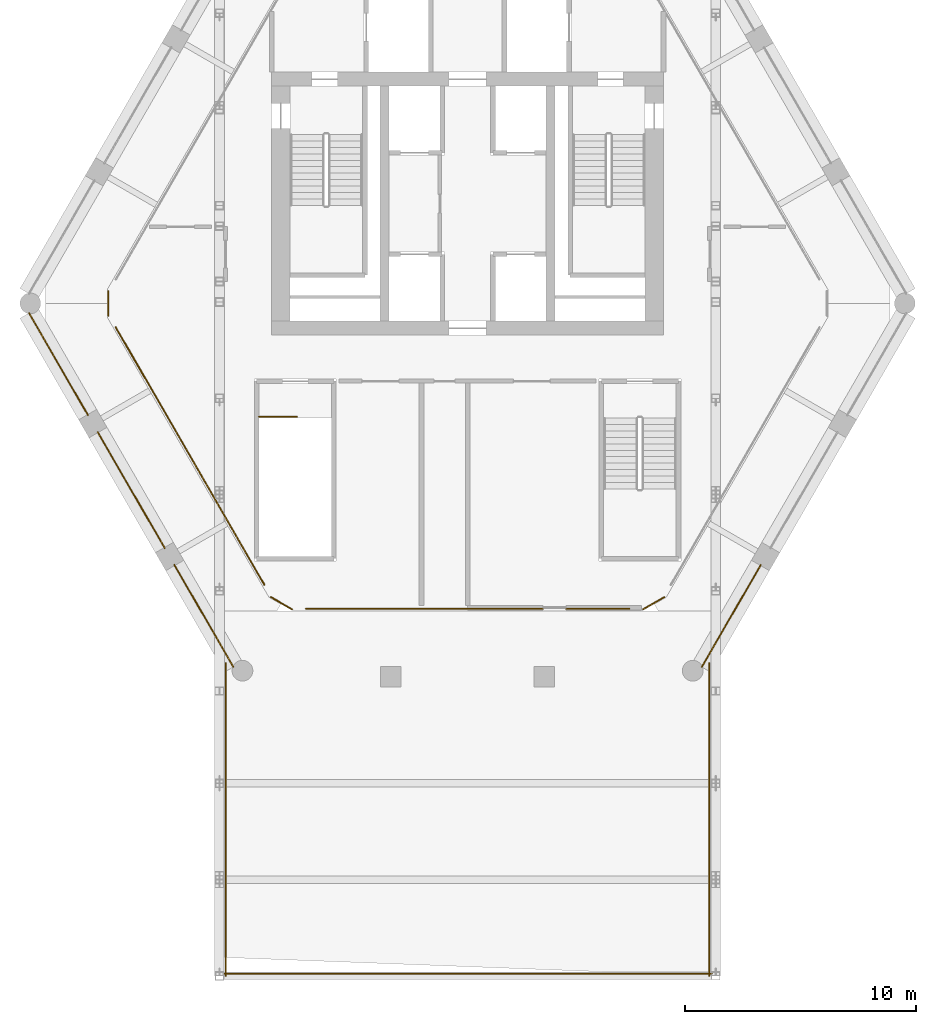
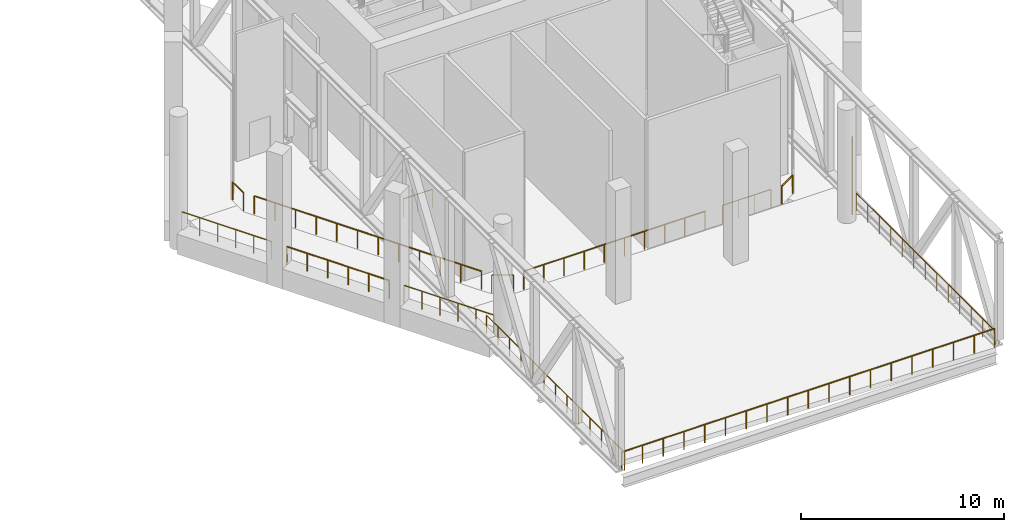
# One storey, part 11 of 14: 14 railings.
"""IFC4 building model written with IfcOpenShell, lengths in metres."""

from ifc_helpers import new_model, si_unit, direction, frame, origin, origin_2d, place, context, subcontext, project, spatial, circle, extrude, material, type_object, element, save


model = new_model("IFC4")

# Units and contexts
model_context = context("Model", 3, precision=1e-05, world=origin(), true_north=direction((0.0, 1.0)))
body_context = subcontext(model_context, "Body", "Model", "MODEL_VIEW")
ifc_project = project(units=[si_unit("LENGTHUNIT", "METRE"), si_unit("AREAUNIT", "SQUARE_METRE"), si_unit("VOLUMEUNIT", "CUBIC_METRE"), si_unit("PLANEANGLEUNIT", "RADIAN"), si_unit("MASSUNIT", "GRAM", prefix="KILO")], contexts=[model_context])

# Site, building, storey
site_placement = place(None, origin())
site = spatial("IfcSite", under=ifc_project, at=site_placement, CompositionType="ELEMENT")
building_placement = place(site_placement, origin())
building = spatial("IfcBuilding", under=site, at=building_placement, Name="Ostrander Bayou Hotel Tower", CompositionType="ELEMENT")
storey_placement = place(building_placement, frame((0.0, 0.0, 237.0)))
storey = spatial("IfcBuildingStorey", under=building, at=storey_placement, Name="L59", CompositionType="ELEMENT", Elevation=237.0)

# Railings
ifc_material_1 = material(Name="Stainless steel and clear glass", Category="steel")
railing_type_1 = type_object("IfcRailingType", Name="GR1 guard 1100 mm", PredefinedType="GUARDRAIL", material=ifc_material_1)
railing_1_placement = place(storey_placement, frame((-19.024169921875, -0.749267578125, 0.0)))
element("IfcRailing", 1, at=railing_1_placement, inside=storey, type_object=railing_type_1, Name="GR1 L59 SW-1 open band guard", PredefinedType="GUARDRAIL", context=body_context, shape_type="SweptSolid", body=[
    extrude(circle(Radius=0.02490234375, at=origin_2d()), frame((0.0, 0.0, 1.0751953125), z_axis=(0.499995206172, -0.866028171485, 0.0), x_axis=(0.866028171485, 0.499995206172, 0.0)), (0.0, 0.0, 1.0), 5.11376953125),
    extrude(circle(Radius=0.02001953125, at=origin_2d()), origin(), (0.0, 0.0, 1.0), 1.050048828125),
    extrude(circle(Radius=0.02001953125, at=origin_2d()), frame((0.511474609375, -0.8857421875, 0.0)), (0.0, 0.0, 1.0), 1.050048828125),
    extrude(circle(Radius=0.02001953125, at=origin_2d()), frame((1.022705078125, -1.771484375, 0.0)), (0.0, 0.0, 1.0), 1.050048828125),
    extrude(circle(Radius=0.02001953125, at=origin_2d()), frame((1.5341796875, -2.6572265625, 0.0)), (0.0, 0.0, 1.0), 1.050048828125),
    extrude(circle(Radius=0.02001953125, at=origin_2d()), frame((2.04541015625, -3.54296875, 0.0)), (0.0, 0.0, 1.0), 1.050048828125),
    extrude(circle(Radius=0.02001953125, at=origin_2d()), frame((2.556884765625, -4.4287109375, 0.0)), (0.0, 0.0, 1.0), 1.050048828125),
])
railing_2_placement = place(storey_placement, frame((-16.047119140625, -5.905517578125, 0.0)))
element("IfcRailing", 2, at=railing_2_placement, inside=storey, type_object=railing_type_1, Name="GR1 L59 SW-2 open band guard", PredefinedType="GUARDRAIL", context=body_context, shape_type="SweptSolid", body=[
    extrude(circle(Radius=0.02490234375, at=origin_2d()), frame((0.0, 0.0, 1.0751953125), z_axis=(0.500015433515, -0.866016493057, 0.0), x_axis=(0.866016493057, 0.500015433515, 0.0)), (0.0, 0.0, 1.0), 5.818603515625),
    extrude(circle(Radius=0.02001953125, at=origin_2d()), origin(), (0.0, 0.0, 1.0), 1.050048828125),
    extrude(circle(Radius=0.02001953125, at=origin_2d()), frame((0.581787109375, -1.0078125, 0.0)), (0.0, 0.0, 1.0), 1.050048828125),
    extrude(circle(Radius=0.02001953125, at=origin_2d()), frame((1.163818359375, -2.015625, 0.0)), (0.0, 0.0, 1.0), 1.050048828125),
    extrude(circle(Radius=0.02001953125, at=origin_2d()), frame((1.74560546875, -3.0234375, 0.0)), (0.0, 0.0, 1.0), 1.050048828125),
    extrude(circle(Radius=0.02001953125, at=origin_2d()), frame((2.32763671875, -4.03125, 0.0)), (0.0, 0.0, 1.0), 1.050048828125),
    extrude(circle(Radius=0.02001953125, at=origin_2d()), frame((2.909423828125, -5.0390625, 0.0)), (0.0, 0.0, 1.0), 1.050048828125),
])
railing_3_placement = place(storey_placement, frame((-12.7177734375, -11.672119140625, 0.0)))
element("IfcRailing", 3, at=railing_3_placement, inside=storey, type_object=railing_type_1, Name="GR1 L59 SW-3 open band guard", PredefinedType="GUARDRAIL", context=body_context, shape_type="SweptSolid", body=[
    extrude(circle(Radius=0.02490234375, at=origin_2d()), frame((0.0, 0.0, 1.0751953125), z_axis=(0.500015879365, -0.866016235635, 0.0), x_axis=(0.866016235635, 0.500015879365, 0.0)), (0.0, 0.0, 1.0), 5.113525390625),
    extrude(circle(Radius=0.02001953125, at=origin_2d()), origin(), (0.0, 0.0, 1.0), 1.050048828125),
    extrude(circle(Radius=0.02001953125, at=origin_2d()), frame((0.511474609375, -0.8857421875, 0.0)), (0.0, 0.0, 1.0), 1.050048828125),
    extrude(circle(Radius=0.02001953125, at=origin_2d()), frame((1.022705078125, -1.771484375, 0.0)), (0.0, 0.0, 1.0), 1.050048828125),
    extrude(circle(Radius=0.02001953125, at=origin_2d()), frame((1.5341796875, -2.656982421875, 0.0)), (0.0, 0.0, 1.0), 1.050048828125),
    extrude(circle(Radius=0.02001953125, at=origin_2d()), frame((2.04541015625, -3.542724609375, 0.0)), (0.0, 0.0, 1.0), 1.050048828125),
    extrude(circle(Radius=0.02001953125, at=origin_2d()), frame((2.556884765625, -4.428466796875, 0.0)), (0.0, 0.0, 1.0), 1.050048828125),
])
railing_4_placement = place(storey_placement, frame((10.160888671875, -16.1005859375, 0.0)))
element("IfcRailing", 4, at=railing_4_placement, inside=storey, type_object=railing_type_1, Name="GR1 L59 SE-1 open band guard", PredefinedType="GUARDRAIL", context=body_context, shape_type="SweptSolid", body=[
    extrude(circle(Radius=0.02490234375, at=origin_2d()), frame((0.0, 0.0, 1.0751953125), z_axis=(0.500015879365, 0.866016235635, 0.0), x_axis=(-0.866016235635, 0.500015879365, 0.0)), (0.0, 0.0, 1.0), 5.113525390625),
    extrude(circle(Radius=0.02001953125, at=origin_2d()), origin(), (0.0, 0.0, 1.0), 1.050048828125),
    extrude(circle(Radius=0.02001953125, at=origin_2d()), frame((0.511474609375, 0.8857421875, 0.0)), (0.0, 0.0, 1.0), 1.050048828125),
    extrude(circle(Radius=0.02001953125, at=origin_2d()), frame((1.022705078125, 1.771484375, 0.0)), (0.0, 0.0, 1.0), 1.050048828125),
    extrude(circle(Radius=0.02001953125, at=origin_2d()), frame((1.5341796875, 2.656982421875, 0.0)), (0.0, 0.0, 1.0), 1.050048828125),
    extrude(circle(Radius=0.02001953125, at=origin_2d()), frame((2.04541015625, 3.542724609375, 0.0)), (0.0, 0.0, 1.0), 1.050048828125),
    extrude(circle(Radius=0.02001953125, at=origin_2d()), frame((2.556884765625, 4.428466796875, 0.0)), (0.0, 0.0, 1.0), 1.050048828125),
])
railing_5_placement = place(storey_placement, frame((-15.582763671875, 0.205078125, 0.0)))
element("IfcRailing", 5, at=railing_5_placement, inside=storey, type_object=railing_type_1, Name="GR1 L59 corner guard 2", PredefinedType="GUARDRAIL", context=body_context, shape_type="SweptSolid", body=[
    extrude(circle(Radius=0.02490234375, at=origin_2d()), frame((0.0, 0.0, 1.0751953125), z_axis=(0.0, -1.0, 0.0), x_axis=(1.0, 0.0, 0.0)), (0.0, 0.0, 1.0), 1.06494140625),
    extrude(circle(Radius=0.02001953125, at=origin_2d()), origin(), (0.0, 0.0, 1.0), 1.050048828125),
    extrude(circle(Radius=0.02001953125, at=origin_2d()), frame((0.0, -1.06494140625, 0.0)), (0.0, 0.0, 1.0), 1.050048828125),
])
railing_6_placement = place(storey_placement, frame((-8.535888671875, -13.065185546875, 0.0)))
element("IfcRailing", 6, at=railing_6_placement, inside=storey, type_object=railing_type_1, Name="GR1 L59 corner guard 3", PredefinedType="GUARDRAIL", context=body_context, shape_type="SweptSolid", body=[
    extrude(circle(Radius=0.02490234375, at=origin_2d()), frame((0.0, 0.0, 1.0751953125), z_axis=(0.865990848561, -0.500059846627, 0.0), x_axis=(0.500059846627, 0.865990848561, 0.0)), (0.0, 0.0, 1.0), 1.064697265625),
    extrude(circle(Radius=0.02001953125, at=origin_2d()), origin(), (0.0, 0.0, 1.0), 1.050048828125),
    extrude(circle(Radius=0.02001953125, at=origin_2d()), frame((0.922119140625, -0.532470703125, 0.0)), (0.0, 0.0, 1.0), 1.050048828125),
])
railing_7_placement = place(storey_placement, frame((7.61376953125, -13.59765625, 0.0)))
element("IfcRailing", 7, at=railing_7_placement, inside=storey, type_object=railing_type_1, Name="GR1 L59 corner guard 4", PredefinedType="GUARDRAIL", context=body_context, shape_type="SweptSolid", body=[
    extrude(circle(Radius=0.02490234375, at=origin_2d()), frame((0.0, 0.0, 1.0751953125), z_axis=(0.865990848561, 0.500059846627, 0.0), x_axis=(-0.500059846627, 0.865990848561, 0.0)), (0.0, 0.0, 1.0), 1.064697265625),
    extrude(circle(Radius=0.02001953125, at=origin_2d()), origin(), (0.0, 0.0, 1.0), 1.050048828125),
    extrude(circle(Radius=0.02001953125, at=origin_2d()), frame((0.922119140625, 0.532470703125, 0.0)), (0.0, 0.0, 1.0), 1.050048828125),
])
railing_8_placement = place(storey_placement, frame((-8.813720703125, -12.533935546875, 0.0)))
element("IfcRailing", 8, at=railing_8_placement, inside=storey, type_object=railing_type_1, Name="GR1 L59 edge guard 5", PredefinedType="GUARDRAIL", context=body_context, shape_type="SweptSolid", body=[
    extrude(circle(Radius=0.02490234375, at=origin_2d()), frame((0.0, 0.0, 1.0751953125), z_axis=(-0.500009787079, 0.866019753138, 0.0), x_axis=(-0.866019753138, -0.500009787079, 0.0)), (0.0, 0.0, 1.0), 12.895751953125),
    extrude(circle(Radius=0.02001953125, at=origin_2d()), origin(), (0.0, 0.0, 1.0), 1.050048828125),
    extrude(circle(Radius=0.02001953125, at=origin_2d()), frame((-0.586181640625, 1.015380859375, 0.0)), (0.0, 0.0, 1.0), 1.050048828125),
    extrude(circle(Radius=0.02001953125, at=origin_2d()), frame((-1.17236328125, 2.030517578125, 0.0)), (0.0, 0.0, 1.0), 1.050048828125),
    extrude(circle(Radius=0.02001953125, at=origin_2d()), frame((-1.758544921875, 3.0458984375, 0.0)), (0.0, 0.0, 1.0), 1.050048828125),
    extrude(circle(Radius=0.02001953125, at=origin_2d()), frame((-2.3447265625, 4.06103515625, 0.0)), (0.0, 0.0, 1.0), 1.050048828125),
    extrude(circle(Radius=0.02001953125, at=origin_2d()), frame((-2.930908203125, 5.076416015625, 0.0)), (0.0, 0.0, 1.0), 1.050048828125),
    extrude(circle(Radius=0.02001953125, at=origin_2d()), frame((-3.51708984375, 6.091552734375, 0.0)), (0.0, 0.0, 1.0), 1.050048828125),
    extrude(circle(Radius=0.02001953125, at=origin_2d()), frame((-4.103271484375, 7.10693359375, 0.0)), (0.0, 0.0, 1.0), 1.050048828125),
    extrude(circle(Radius=0.02001953125, at=origin_2d()), frame((-4.689453125, 8.1220703125, 0.0)), (0.0, 0.0, 1.0), 1.050048828125),
    extrude(circle(Radius=0.02001953125, at=origin_2d()), frame((-5.275634765625, 9.137451171875, 0.0)), (0.0, 0.0, 1.0), 1.050048828125),
    extrude(circle(Radius=0.02001953125, at=origin_2d()), frame((-5.86181640625, 10.152587890625, 0.0)), (0.0, 0.0, 1.0), 1.050048828125),
    extrude(circle(Radius=0.02001953125, at=origin_2d()), frame((-6.447998046875, 11.16796875, 0.0)), (0.0, 0.0, 1.0), 1.050048828125),
])
railing_9_placement = place(storey_placement, frame((10.4873046875, -29.5, 0.0)))
element("IfcRailing", 9, at=railing_9_placement, inside=storey, type_object=railing_type_1, Name="GR1 bar roof guard SB5 1", PredefinedType="GUARDRAIL", context=body_context, shape_type="SweptSolid", body=[
    extrude(circle(Radius=0.02490234375, at=origin_2d()), frame((0.0, 0.0, 1.0751953125), z_axis=(0.0, 1.0, 0.0), x_axis=(-1.0, 0.0, 0.0)), (0.0, 0.0, 1.0), 13.564208984375),
    extrude(circle(Radius=0.02001953125, at=origin_2d()), origin(), (0.0, 0.0, 1.0), 1.050048828125),
    extrude(circle(Radius=0.02001953125, at=origin_2d()), frame((0.0, 1.13037109375, 0.0)), (0.0, 0.0, 1.0), 1.050048828125),
    extrude(circle(Radius=0.02001953125, at=origin_2d()), frame((0.0, 2.2607421875, 0.0)), (0.0, 0.0, 1.0), 1.050048828125),
    extrude(circle(Radius=0.02001953125, at=origin_2d()), frame((0.0, 3.39111328125, 0.0)), (0.0, 0.0, 1.0), 1.050048828125),
    extrude(circle(Radius=0.02001953125, at=origin_2d()), frame((0.0, 4.521484375, 0.0)), (0.0, 0.0, 1.0), 1.050048828125),
    extrude(circle(Radius=0.02001953125, at=origin_2d()), frame((0.0, 5.65185546875, 0.0)), (0.0, 0.0, 1.0), 1.050048828125),
    extrude(circle(Radius=0.02001953125, at=origin_2d()), frame((0.0, 6.7822265625, 0.0)), (0.0, 0.0, 1.0), 1.050048828125),
    extrude(circle(Radius=0.02001953125, at=origin_2d()), frame((0.0, 7.912353515625, 0.0)), (0.0, 0.0, 1.0), 1.050048828125),
    extrude(circle(Radius=0.02001953125, at=origin_2d()), frame((0.0, 9.042724609375, 0.0)), (0.0, 0.0, 1.0), 1.050048828125),
    extrude(circle(Radius=0.02001953125, at=origin_2d()), frame((0.0, 10.173095703125, 0.0)), (0.0, 0.0, 1.0), 1.050048828125),
    extrude(circle(Radius=0.02001953125, at=origin_2d()), frame((0.0, 11.303466796875, 0.0)), (0.0, 0.0, 1.0), 1.050048828125),
    extrude(circle(Radius=0.02001953125, at=origin_2d()), frame((0.0, 12.433837890625, 0.0)), (0.0, 0.0, 1.0), 1.050048828125),
    extrude(circle(Radius=0.02001953125, at=origin_2d()), frame((0.0, 13.564208984375, 0.0)), (0.0, 0.0, 1.0), 1.050048828125),
])
railing_10_placement = place(storey_placement, frame((-10.4873046875, -15.935791015625, 0.0)))
element("IfcRailing", 10, at=railing_10_placement, inside=storey, type_object=railing_type_1, Name="GR1 bar roof guard SB5 2", PredefinedType="GUARDRAIL", context=body_context, shape_type="SweptSolid", body=[
    extrude(circle(Radius=0.02490234375, at=origin_2d()), frame((0.0, 0.0, 1.0751953125), z_axis=(0.0, -1.0, 0.0), x_axis=(1.0, 0.0, 0.0)), (0.0, 0.0, 1.0), 13.564208984375),
    extrude(circle(Radius=0.02001953125, at=origin_2d()), origin(), (0.0, 0.0, 1.0), 1.050048828125),
    extrude(circle(Radius=0.02001953125, at=origin_2d()), frame((0.0, -1.13037109375, 0.0)), (0.0, 0.0, 1.0), 1.050048828125),
    extrude(circle(Radius=0.02001953125, at=origin_2d()), frame((0.0, -2.2607421875, 0.0)), (0.0, 0.0, 1.0), 1.050048828125),
    extrude(circle(Radius=0.02001953125, at=origin_2d()), frame((0.0, -3.39111328125, 0.0)), (0.0, 0.0, 1.0), 1.050048828125),
    extrude(circle(Radius=0.02001953125, at=origin_2d()), frame((0.0, -4.521484375, 0.0)), (0.0, 0.0, 1.0), 1.050048828125),
    extrude(circle(Radius=0.02001953125, at=origin_2d()), frame((0.0, -5.65185546875, 0.0)), (0.0, 0.0, 1.0), 1.050048828125),
    extrude(circle(Radius=0.02001953125, at=origin_2d()), frame((0.0, -6.7822265625, 0.0)), (0.0, 0.0, 1.0), 1.050048828125),
    extrude(circle(Radius=0.02001953125, at=origin_2d()), frame((0.0, -7.912353515625, 0.0)), (0.0, 0.0, 1.0), 1.050048828125),
    extrude(circle(Radius=0.02001953125, at=origin_2d()), frame((0.0, -9.042724609375, 0.0)), (0.0, 0.0, 1.0), 1.050048828125),
    extrude(circle(Radius=0.02001953125, at=origin_2d()), frame((0.0, -10.173095703125, 0.0)), (0.0, 0.0, 1.0), 1.050048828125),
    extrude(circle(Radius=0.02001953125, at=origin_2d()), frame((0.0, -11.303466796875, 0.0)), (0.0, 0.0, 1.0), 1.050048828125),
    extrude(circle(Radius=0.02001953125, at=origin_2d()), frame((0.0, -12.433837890625, 0.0)), (0.0, 0.0, 1.0), 1.050048828125),
    extrude(circle(Radius=0.02001953125, at=origin_2d()), frame((0.0, -13.564208984375, 0.0)), (0.0, 0.0, 1.0), 1.050048828125),
])
railing_11_placement = place(storey_placement, frame((-10.587158203125, -29.39990234375, 0.0)))
element("IfcRailing", 11, at=railing_11_placement, inside=storey, type_object=railing_type_1, Name="GR1 bar roof guard SB5 3", PredefinedType="GUARDRAIL", context=body_context, shape_type="SweptSolid", body=[
    extrude(circle(Radius=0.02490234375, at=origin_2d()), frame((0.0, 0.0, 1.0751953125), z_axis=(1.0, 0.0, 0.0), x_axis=(0.0, 1.0, 0.0)), (0.0, 0.0, 1.0), 21.17431640625),
    extrude(circle(Radius=0.02001953125, at=origin_2d()), origin(), (0.0, 0.0, 1.0), 1.050048828125),
    extrude(circle(Radius=0.02001953125, at=origin_2d()), frame((1.17626953125, 0.0, 0.0)), (0.0, 0.0, 1.0), 1.050048828125),
    extrude(circle(Radius=0.02001953125, at=origin_2d()), frame((2.352783203125, 0.0, 0.0)), (0.0, 0.0, 1.0), 1.050048828125),
    extrude(circle(Radius=0.02001953125, at=origin_2d()), frame((3.529052734375, 0.0, 0.0)), (0.0, 0.0, 1.0), 1.050048828125),
    extrude(circle(Radius=0.02001953125, at=origin_2d()), frame((4.705322265625, 0.0, 0.0)), (0.0, 0.0, 1.0), 1.050048828125),
    extrude(circle(Radius=0.02001953125, at=origin_2d()), frame((5.8818359375, 0.0, 0.0)), (0.0, 0.0, 1.0), 1.050048828125),
    extrude(circle(Radius=0.02001953125, at=origin_2d()), frame((7.05810546875, 0.0, 0.0)), (0.0, 0.0, 1.0), 1.050048828125),
    extrude(circle(Radius=0.02001953125, at=origin_2d()), frame((8.234375, 0.0, 0.0)), (0.0, 0.0, 1.0), 1.050048828125),
    extrude(circle(Radius=0.02001953125, at=origin_2d()), frame((9.410888671875, 0.0, 0.0)), (0.0, 0.0, 1.0), 1.050048828125),
    extrude(circle(Radius=0.02001953125, at=origin_2d()), frame((10.587158203125, 0.0, 0.0)), (0.0, 0.0, 1.0), 1.050048828125),
    extrude(circle(Radius=0.02001953125, at=origin_2d()), frame((11.763427734375, 0.0, 0.0)), (0.0, 0.0, 1.0), 1.050048828125),
    extrude(circle(Radius=0.02001953125, at=origin_2d()), frame((12.93994140625, 0.0, 0.0)), (0.0, 0.0, 1.0), 1.050048828125),
    extrude(circle(Radius=0.02001953125, at=origin_2d()), frame((14.1162109375, 0.0, 0.0)), (0.0, 0.0, 1.0), 1.050048828125),
    extrude(circle(Radius=0.02001953125, at=origin_2d()), frame((15.29248046875, 0.0, 0.0)), (0.0, 0.0, 1.0), 1.050048828125),
    extrude(circle(Radius=0.02001953125, at=origin_2d()), frame((16.468994140625, 0.0, 0.0)), (0.0, 0.0, 1.0), 1.050048828125),
    extrude(circle(Radius=0.02001953125, at=origin_2d()), frame((17.645263671875, 0.0, 0.0)), (0.0, 0.0, 1.0), 1.050048828125),
    extrude(circle(Radius=0.02001953125, at=origin_2d()), frame((18.821533203125, 0.0, 0.0)), (0.0, 0.0, 1.0), 1.050048828125),
    extrude(circle(Radius=0.02001953125, at=origin_2d()), frame((19.998046875, 0.0, 0.0)), (0.0, 0.0, 1.0), 1.050048828125),
    extrude(circle(Radius=0.02001953125, at=origin_2d()), frame((21.17431640625, 0.0, 0.0)), (0.0, 0.0, 1.0), 1.050048828125),
])
railing_12_placement = place(storey_placement, frame((7.014892578125, -13.57275390625, 0.0)))
element("IfcRailing", 12, at=railing_12_placement, inside=storey, type_object=railing_type_1, Name="GR1 L59 edge guard 4", PredefinedType="GUARDRAIL", context=body_context, shape_type="SweptSolid", body=[
    extrude(circle(Radius=0.02490234375, at=origin_2d()), frame((0.0, 0.0, 1.0751953125), z_axis=(-1.0, 0.0, 0.0), x_axis=(0.0, -1.0, 0.0)), (0.0, 0.0, 1.0), 2.745361328125),
    extrude(circle(Radius=0.02001953125, at=origin_2d()), origin(), (0.0, 0.0, 1.0), 1.050048828125),
    extrude(circle(Radius=0.02001953125, at=origin_2d()), frame((-0.9150390625, 0.0, 0.0)), (0.0, 0.0, 1.0), 1.050048828125),
    extrude(circle(Radius=0.02001953125, at=origin_2d()), frame((-1.830322265625, 0.0, 0.0)), (0.0, 0.0, 1.0), 1.050048828125),
    extrude(circle(Radius=0.02001953125, at=origin_2d()), frame((-2.745361328125, 0.0, 0.0)), (0.0, 0.0, 1.0), 1.050048828125),
])
railing_13_placement = place(storey_placement, frame((3.26953125, -13.57275390625, 0.0)))
element("IfcRailing", 13, at=railing_13_placement, inside=storey, type_object=railing_type_1, Name="GR1 L59 edge guard 4", PredefinedType="GUARDRAIL", context=body_context, shape_type="SweptSolid", body=[
    extrude(circle(Radius=0.02490234375, at=origin_2d()), frame((0.0, 0.0, 1.0751953125), z_axis=(-1.0, 0.0, 0.0), x_axis=(0.0, -1.0, 0.0)), (0.0, 0.0, 1.0), 10.284423828125),
    extrude(circle(Radius=0.02001953125, at=origin_2d()), origin(), (0.0, 0.0, 1.0), 1.050048828125),
    extrude(circle(Radius=0.02001953125, at=origin_2d()), frame((-1.142822265625, 0.0, 0.0)), (0.0, 0.0, 1.0), 1.050048828125),
    extrude(circle(Radius=0.02001953125, at=origin_2d()), frame((-2.285400390625, 0.0, 0.0)), (0.0, 0.0, 1.0), 1.050048828125),
    extrude(circle(Radius=0.02001953125, at=origin_2d()), frame((-3.42822265625, 0.0, 0.0)), (0.0, 0.0, 1.0), 1.050048828125),
    extrude(circle(Radius=0.02001953125, at=origin_2d()), frame((-4.57080078125, 0.0, 0.0)), (0.0, 0.0, 1.0), 1.050048828125),
    extrude(circle(Radius=0.02001953125, at=origin_2d()), frame((-5.713623046875, 0.0, 0.0)), (0.0, 0.0, 1.0), 1.050048828125),
    extrude(circle(Radius=0.02001953125, at=origin_2d()), frame((-6.856201171875, 0.0, 0.0)), (0.0, 0.0, 1.0), 1.050048828125),
    extrude(circle(Radius=0.02001953125, at=origin_2d()), frame((-7.9990234375, 0.0, 0.0)), (0.0, 0.0, 1.0), 1.050048828125),
    extrude(circle(Radius=0.02001953125, at=origin_2d()), frame((-9.1416015625, 0.0, 0.0)), (0.0, 0.0, 1.0), 1.050048828125),
    extrude(circle(Radius=0.02001953125, at=origin_2d()), frame((-10.284423828125, 0.0, 0.0)), (0.0, 0.0, 1.0), 1.050048828125),
])
ifc_material_2 = material(Name="Steel ASTM A500 Gr C", Category="steel")
railing_type_2 = type_object("IfcRailingType", Name="GR1 stair guard 1100 mm steel", PredefinedType="GUARDRAIL", material=ifc_material_2)
railing_14_placement = place(storey_placement, frame((-9.050048828125, -5.25, 0.0)))
element("IfcRailing", 14, at=railing_14_placement, inside=storey, type_object=railing_type_2, Name="L59 STD top well guard 1", PredefinedType="GUARDRAIL", context=body_context, shape_type="SweptSolid", body=[
    extrude(circle(Radius=0.02392578125, at=origin_2d()), frame((0.0, 0.0, 1.076171875), z_axis=(1.0, 0.0, 0.0), x_axis=(0.0, 1.0, 0.0)), (0.0, 0.0, 1.0), 1.650146484375),
    extrude(circle(Radius=0.02099609375, at=origin_2d()), origin(), (0.0, 0.0, 1.0), 1.052001953125),
    extrude(circle(Radius=0.02099609375, at=origin_2d()), frame((0.8251953125, 0.0, 0.0)), (0.0, 0.0, 1.0), 1.052001953125),
    extrude(circle(Radius=0.02099609375, at=origin_2d()), frame((1.650146484375, 0.0, 0.0)), (0.0, 0.0, 1.0), 1.052001953125),
])

save(model, "model.ifc")
